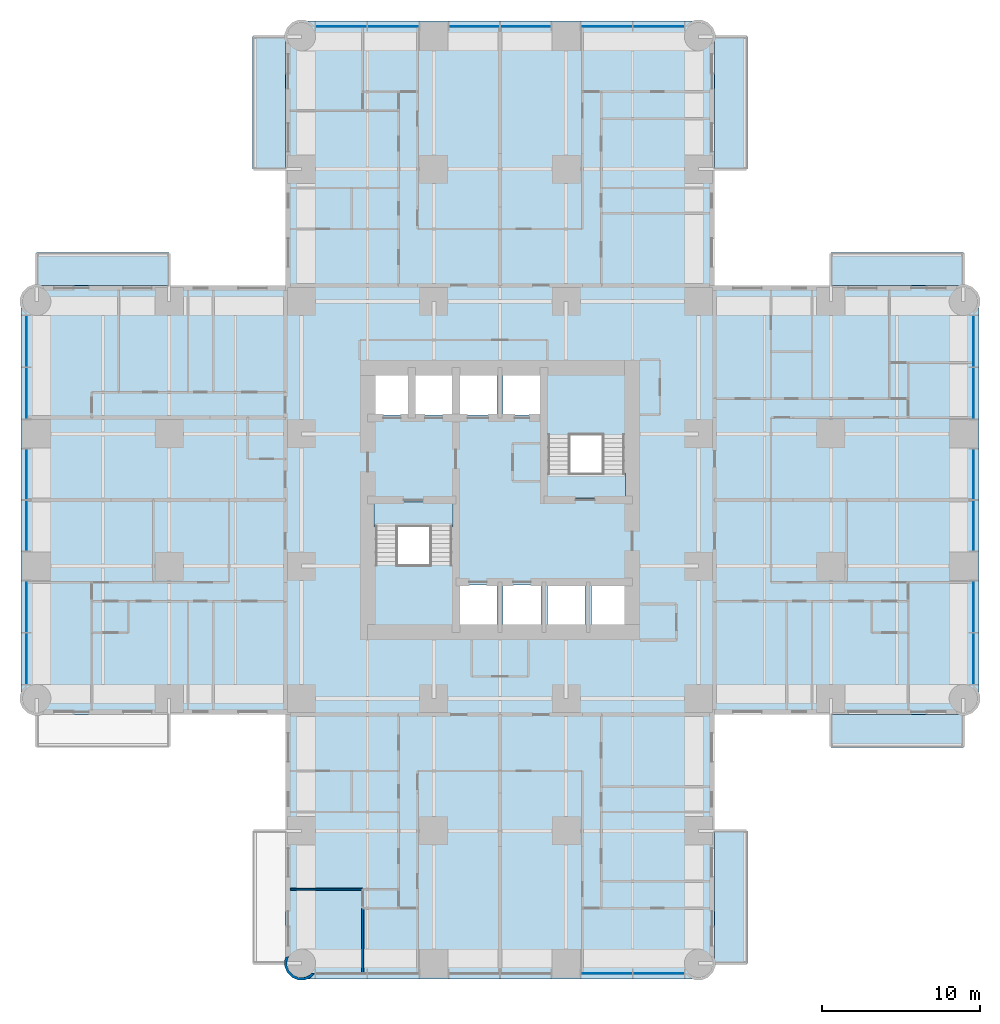
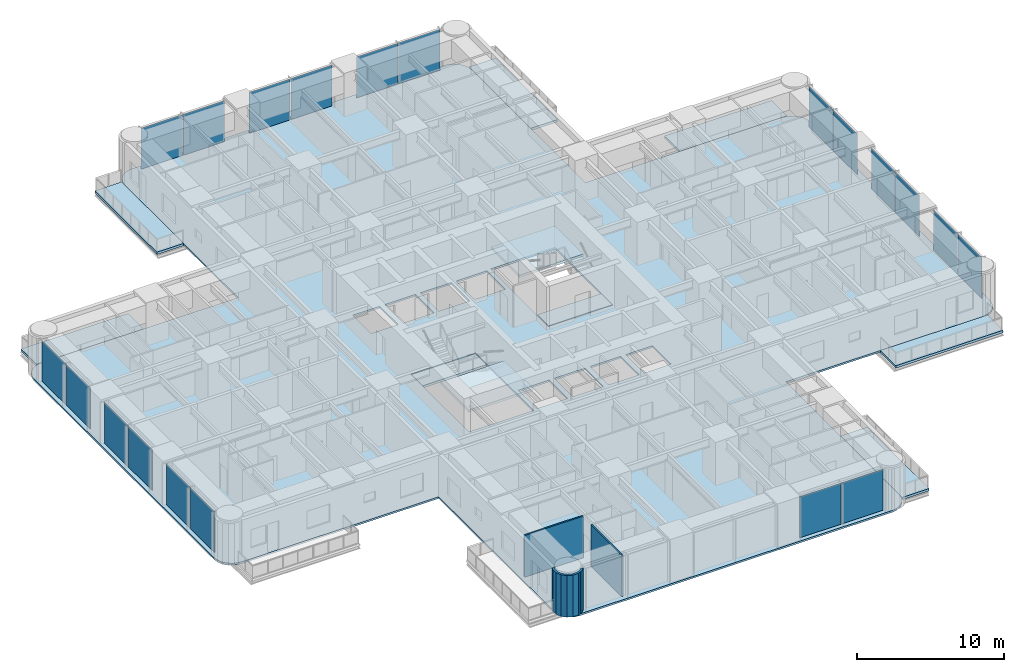
# One storey, part 6 of 17: 20 plates, 11 slabs, 3 walls, 6 elements without a shape of their own.
"""IFC4 building model written with IfcOpenShell, lengths in metres."""

import ifcopenshell
import ifcopenshell.guid

model = None  # the IFC model being written
_history = None  # IfcOwnerHistory: only IFC2X3 demands one
_inside = {}  # id of a spatial element -> (the spatial element, [elements in it])
_under = {}  # id of a project, library or spatial element -> (it, [spatial elements below it])
_declared = {}  # id of a project -> (the project, [libraries it declares])
_typed = {}  # id of a type object -> (the type object, [elements of that type])
_made_of = {}  # id of a material, layer set ... -> (it, [elements and type objects made of it])


def new_model(schema):
    """Start an empty IFC model of exactly this schema.

    Asked for "IFC4X3", IfcOpenShell would pick the latest addendum, in which some entities
    have other attributes; the version numbers below select the first issue.
    IFC2X3 requires an IfcOwnerHistory on every rooted entity: one is made here for all.
    """
    global model, _history
    if schema == "IFC4X3":
        model = ifcopenshell.file(schema_version=(4, 3, 0, 0))
    else:
        model = ifcopenshell.file(schema=schema)
    _inside.clear()
    _under.clear()
    _declared.clear()
    _typed.clear()
    _made_of.clear()
    _history = None
    if model.schema == "IFC2X3":
        org = make("IfcOrganization", Name="unknown")
        user = make(
            "IfcPersonAndOrganization",
            ThePerson=make("IfcPerson", FamilyName="unknown"),
            TheOrganization=org,
        )
        app = make(
            "IfcApplication",
            ApplicationDeveloper=org,
            Version="unknown",
            ApplicationFullName="unknown",
            ApplicationIdentifier="unknown",
        )
        _history = make(
            "IfcOwnerHistory",
            OwningUser=user,
            OwningApplication=app,
            ChangeAction="ADDED",
            CreationDate=0,
        )
    return model


def make(cls, **values):
    """One entity of the class cls with the attributes given. An attribute that is None is left unset."""
    return model.create_entity(
        cls, **{name: value for name, value in values.items() if value is not None}
    )


def rooted(cls, **values):
    """An entity with a GlobalId (a new one), such as an element, a storey or a relation."""
    return make(cls, GlobalId=ifcopenshell.guid.new(), OwnerHistory=_history, **values)


def si_unit(unit_type, name, prefix=None):
    """IfcSIUnit, for example si_unit("LENGTHUNIT", "METRE", prefix="MILLI")."""
    return make("IfcSIUnit", UnitType=unit_type, Prefix=prefix, Name=name)


def assignment(units):
    """IfcUnitAssignment: the units of a project."""
    return None if units is None else make("IfcUnitAssignment", Units=units)


def point(xyz):
    """IfcCartesianPoint."""
    return None if xyz is None else make("IfcCartesianPoint", Coordinates=xyz)


def direction(xyz):
    """IfcDirection."""
    return None if xyz is None else make("IfcDirection", DirectionRatios=xyz)


def frame(location, z_axis=None, x_axis=None):
    """IfcAxis2Placement3D, a coordinate frame: its origin and axes. An axis left out is left unset."""
    return make(
        "IfcAxis2Placement3D",
        Location=point(location),
        Axis=direction(z_axis),
        RefDirection=direction(x_axis),
    )


def frame_2d(location, x_axis=None):
    """IfcAxis2Placement2D, a coordinate frame in the plane: its origin and x axis."""
    return make(
        "IfcAxis2Placement2D", Location=point(location), RefDirection=direction(x_axis)
    )


def origin():
    """The frame at (0, 0, 0) with its axes left unset."""
    return frame((0.0, 0.0, 0.0))


def origin_2d():
    """The frame at (0, 0) in the plane with its x axis left unset."""
    return frame_2d((0.0, 0.0))


def place(relative_to, where):
    """IfcLocalPlacement: puts the frame where relative to a parent placement (None: the world)."""
    return make(
        "IfcLocalPlacement", PlacementRelTo=relative_to, RelativePlacement=where
    )


def context(
    kind, dimensions, precision=None, world=None, true_north=None, identifier=None
):
    """IfcGeometricRepresentationContext, for example the 3D "Model" context."""
    return make(
        "IfcGeometricRepresentationContext",
        ContextIdentifier=identifier,
        ContextType=kind,
        CoordinateSpaceDimension=dimensions,
        Precision=precision,
        WorldCoordinateSystem=world,
        TrueNorth=true_north,
    )


def subcontext(parent, identifier, kind, view, scale=None):
    """IfcGeometricRepresentationSubContext, for example "Body" below "Model"."""
    return make(
        "IfcGeometricRepresentationSubContext",
        ContextIdentifier=identifier,
        ContextType=kind,
        ParentContext=parent,
        TargetScale=scale,
        TargetView=view,
    )


def project(units=None, contexts=None):
    """IfcProject with its units and contexts."""
    return rooted(
        "IfcProject",
        Name="project",
        RepresentationContexts=contexts,
        UnitsInContext=assignment(units),
    )


def spatial(cls, under=None, at=None, **own):
    """A site, building, storey or space (cls), placed at a placement, below another one or the project."""
    s = rooted(cls, ObjectPlacement=at, **own)
    if under is not None:
        _under.setdefault(under.id(), (under, []))[1].append(s)
    return s


def polyline(points):
    """IfcPolyline through the points."""
    return make("IfcPolyline", Points=[point(p) for p in points])


def profile(cls, at=None, kind="AREA", **sizes):
    """A parametric profile (cls). Its sizes go by their IFC names, for example OverallWidth=200.0."""
    return make(cls, ProfileType=kind, Position=at, **sizes)


def rectangle(**sizes):
    """IfcRectangleProfileDef."""
    return profile("IfcRectangleProfileDef", **sizes)


def outline(outer, holes=None, kind="AREA"):
    """IfcArbitraryClosedProfileDef: a profile drawn as a closed curve; with holes, ...WithVoids."""
    if holes is None:
        return make("IfcArbitraryClosedProfileDef", ProfileType=kind, OuterCurve=outer)
    return make(
        "IfcArbitraryProfileDefWithVoids",
        ProfileType=kind,
        OuterCurve=outer,
        InnerCurves=holes,
    )


def extrude(swept, where, along, depth):
    """IfcExtrudedAreaSolid: the profile swept, set in the frame where, extruded along a direction by depth."""
    return make(
        "IfcExtrudedAreaSolid",
        SweptArea=swept,
        Position=where,
        ExtrudedDirection=direction(along),
        Depth=depth,
    )


def shape(context_of_items, identifier, shape_type, items):
    """IfcShapeRepresentation: the items that make up one representation, for example the "Body"."""
    return make(
        "IfcShapeRepresentation",
        ContextOfItems=context_of_items,
        RepresentationIdentifier=identifier,
        RepresentationType=shape_type,
        Items=items,
    )


def material(Name=None, Category=None):
    """IfcMaterial."""
    return make("IfcMaterial", Name=Name, Category=Category)


def layer(
    of_material, thickness, ventilated=None, Name=None, Category=None, Priority=None
):
    """IfcMaterialLayer: one layer of a wall or slab, of a material (None: an air gap)."""
    return make(
        "IfcMaterialLayer",
        Material=of_material,
        LayerThickness=thickness,
        IsVentilated=ventilated,
        Name=Name,
        Category=Category,
        Priority=Priority,
    )


def layer_set(layers, Name=None):
    """IfcMaterialLayerSet."""
    return make("IfcMaterialLayerSet", MaterialLayers=layers, LayerSetName=Name)


def made_of(thing, what):
    """Note that an element or type object is made of a material, layer set ...; save() writes the relation."""
    if what is not None:
        _made_of.setdefault(what.id(), (what, []))[1].append(thing)
    return thing


def type_object(cls, material=None, **own):
    """A type object (cls), such as IfcWallType, which elements share."""
    return made_of(rooted(cls, **own), material)


def element(
    cls,
    number,
    at=None,
    inside=None,
    cuts=None,
    type_object=None,
    material=None,
    context=None,
    identifier="Body",
    shape_type=None,
    held_by="IfcProductDefinitionShape",
    body=None,
    shapes=None,
    **own,
):
    """One element of the class cls, such as IfcWall. Its Tag is "e" and its number.

    at: its placement. inside: the storey or other place that contains it. cuts: it is an
    opening in that element (IfcRelVoidsElement). A single representation is given by context,
    identifier, shape_type and body (its items); several are given by shapes. held_by: the class
    of the entity that holds the representations. save() writes the other relations.
    """
    e = rooted(cls, Tag="e%d" % number, ObjectPlacement=at, **own)
    if body is not None:
        shapes = [shape(context, identifier, shape_type, body)]
    if shapes is not None:
        e.Representation = make(held_by, Representations=shapes)
    if inside is not None:
        _inside.setdefault(inside.id(), (inside, []))[1].append(e)
    if cuts is not None:
        rooted(
            "IfcRelVoidsElement", RelatingBuildingElement=cuts, RelatedOpeningElement=e
        )
    if type_object is not None:
        _typed.setdefault(type_object.id(), (type_object, []))[1].append(e)
    return made_of(e, material)


def aggregate(whole, parts):
    """IfcRelAggregates: a whole, such as a stair, and the parts it consists of."""
    return rooted("IfcRelAggregates", RelatingObject=whole, RelatedObjects=parts)


def save(model, path):
    """Write the relations noted so far, then the file.

    IfcRelAggregates (storeys below a building ...), IfcRelContainedInSpatialStructure (elements
    in a storey), IfcRelDefinesByType, IfcRelAssociatesMaterial and IfcRelDeclares: one each for
    every whole, place, type object, material and project.
    """
    for whole, parts in _under.values():
        aggregate(whole, parts)
    for where, things in _inside.values():
        rooted(
            "IfcRelContainedInSpatialStructure",
            RelatedElements=things,
            RelatingStructure=where,
        )
    for kind, things in _typed.values():
        rooted("IfcRelDefinesByType", RelatedObjects=things, RelatingType=kind)
    for what, things in _made_of.values():
        rooted("IfcRelAssociatesMaterial", RelatedObjects=things, RelatingMaterial=what)
    for by, libraries in _declared.values():
        rooted("IfcRelDeclares", RelatingContext=by, RelatedDefinitions=libraries)
    model.write(path)


model = new_model("IFC4")

# Units and contexts
model_context = context("Model", 3, precision=1e-05, world=origin(), true_north=direction((0.0, 1.0)))
body_context = subcontext(model_context, "Body", "Model", "MODEL_VIEW")
ifc_project = project(units=[si_unit("LENGTHUNIT", "METRE"), si_unit("AREAUNIT", "SQUARE_METRE"), si_unit("VOLUMEUNIT", "CUBIC_METRE"), si_unit("PLANEANGLEUNIT", "RADIAN"), si_unit("MASSUNIT", "GRAM", prefix="KILO")], contexts=[model_context])

# Site, building, storey
site_placement = place(None, origin())
site = spatial("IfcSite", under=ifc_project, at=site_placement, CompositionType="ELEMENT")
building_placement = place(site_placement, origin())
building = spatial("IfcBuilding", under=site, at=building_placement, Name="Torre Alcanfor", CompositionType="ELEMENT")
storey_placement = place(building_placement, frame((0.0, 0.0, 45.300048828125)))
storey = spatial("IfcBuildingStorey", under=building, at=storey_placement, Name="L10", CompositionType="ELEMENT", Elevation=45.300048828125)

# Slabs
ifc_material_1 = material(Name="Concrete f'c 35 MPa", Category="concrete")
ifc_layer_1 = layer(ifc_material_1, 0.199951171875)
ifc_layer_set_1 = layer_set([ifc_layer_1], Name="Balcony slab 200")
slab_type_1 = type_object("IfcSlabType", Name="Balcony slab 200", PredefinedType="FLOOR", material=ifc_layer_set_1)
slab_1_placement = place(storey_placement, frame((0.0, 0.0, -0.199951171875)))
element("IfcSlab", 1, at=slab_1_placement, inside=storey, type_object=slab_type_1, Name="Balcony L10-N1", PredefinedType="FLOOR", context=body_context, shape_type="SweptSolid", body=[
    extrude(outline(polyline([(15.800048828125, 50.39990234375), (15.800048828125, 58.800048828125), (13.699951171875, 58.800048828125), (13.699951171875, 50.39990234375), (15.800048828125, 50.39990234375)])), origin(), (0.0, 0.0, 1.0), 0.199951171875),
])
slab_2_placement = place(storey_placement, frame((0.0, 0.0, -0.199951171875)))
element("IfcSlab", 2, at=slab_2_placement, inside=storey, type_object=slab_type_1, Name="Balcony L10-N2", PredefinedType="FLOOR", context=body_context, shape_type="SweptSolid", body=[
    extrude(outline(polyline([(45.10009765625, 50.39990234375), (45.10009765625, 58.800048828125), (43.0, 58.800048828125), (43.0, 50.39990234375), (45.10009765625, 50.39990234375)])), origin(), (0.0, 0.0, 1.0), 0.199951171875),
])
slab_3_placement = place(storey_placement, frame((0.0, 0.0, -0.199951171875)))
element("IfcSlab", 3, at=slab_3_placement, inside=storey, type_object=slab_type_1, Name="Balcony L10-E1", PredefinedType="FLOOR", context=body_context, shape_type="SweptSolid", body=[
    extrude(outline(polyline([(50.39990234375, 43.0), (58.800048828125, 43.0), (58.800048828125, 45.10009765625), (50.39990234375, 45.10009765625), (50.39990234375, 43.0)])), origin(), (0.0, 0.0, 1.0), 0.199951171875),
])
slab_4_placement = place(storey_placement, frame((0.0, 0.0, -0.199951171875)))
element("IfcSlab", 4, at=slab_4_placement, inside=storey, type_object=slab_type_1, Name="Balcony L10-E2", PredefinedType="FLOOR", context=body_context, shape_type="SweptSolid", body=[
    extrude(outline(polyline([(50.39990234375, 13.699951171875), (58.800048828125, 13.699951171875), (58.800048828125, 15.800048828125), (50.39990234375, 15.800048828125), (50.39990234375, 13.699951171875)])), origin(), (0.0, 0.0, 1.0), 0.199951171875),
])
slab_5_placement = place(storey_placement, frame((0.0, 0.0, -0.199951171875)))
element("IfcSlab", 5, at=slab_5_placement, inside=storey, type_object=slab_type_1, Name="Balcony L10-S1", PredefinedType="FLOOR", context=body_context, shape_type="SweptSolid", body=[
    extrude(outline(polyline([(43.0, 8.39990234375), (43.0, 0.0), (45.10009765625, 0.0), (45.10009765625, 8.39990234375), (43.0, 8.39990234375)])), origin(), (0.0, 0.0, 1.0), 0.199951171875),
])
slab_6_placement = place(storey_placement, frame((0.0, 0.0, -0.199951171875)))
element("IfcSlab", 6, at=slab_6_placement, inside=storey, type_object=slab_type_1, Name="Balcony L10-W2", PredefinedType="FLOOR", context=body_context, shape_type="SweptSolid", body=[
    extrude(outline(polyline([(8.39990234375, 45.10009765625), (0.0, 45.10009765625), (0.0, 43.0), (8.39990234375, 43.0), (8.39990234375, 45.10009765625)])), origin(), (0.0, 0.0, 1.0), 0.199951171875),
])

# Curtain wall, plates
ifc_material_2 = material(Name="Aluminium and glass", Category="aluminium")
curtain_wall_type = type_object("IfcCurtainWallType", Name="CW-A unitised apartment glazing with vertical FIN", PredefinedType="NOTDEFINED", material=ifc_material_2)
curtain_wall_1_placement = place(storey_placement, origin())
curtain_wall_1 = element("IfcCurtainWall", 7, at=curtain_wall_1_placement, inside=storey, type_object=curtain_wall_type, Name="Curtain wall CW-A L10 2", PredefinedType="NOTDEFINED")
ifc_material_3 = material(Name="Glass", Category="glass")
ifc_layer_2 = layer(ifc_material_3, 0.028076171875)
ifc_layer_set_2 = layer_set([ifc_layer_2], Name="CW-A clear double glazed unit")
plate_type = type_object("IfcPlateType", Name="CW-A clear double glazed unit", PredefinedType="CURTAIN_PANEL", material=ifc_layer_set_2)
plate_1_placement = place(storey_placement, frame((-0.64990234375, 39.484130859375, 0.0), z_axis=(0.0, 0.0, 1.0), x_axis=(0.0, -1.0, 0.0)))
plate_1 = element("IfcPlate", 8, at=plate_1_placement, type_object=plate_type, Name="CW-A panel 1.1.1", PredefinedType="CURTAIN_PANEL", context=body_context, shape_type="SweptSolid", body=[
    extrude(rectangle(XDim=3.232666015625, YDim=0.028076171875, at=origin_2d()), origin(), (0.0, 0.0, 1.0), 3.385009765625),
])
plate_2_placement = place(storey_placement, frame((-0.64990234375, 36.186279296875, 0.0), z_axis=(0.0, 0.0, 1.0), x_axis=(0.0, -1.0, 0.0)))
plate_2 = element("IfcPlate", 9, at=plate_2_placement, type_object=plate_type, Name="CW-A panel 1.2.1", PredefinedType="CURTAIN_PANEL", context=body_context, shape_type="SweptSolid", body=[
    extrude(rectangle(XDim=3.232666015625, YDim=0.028076171875, at=origin_2d()), origin(), (0.0, 0.0, 1.0), 3.385009765625),
])
plate_3_placement = place(storey_placement, frame((-0.64990234375, 31.03125, 0.0), z_axis=(0.0, 0.0, 1.0), x_axis=(0.0, -1.0, 0.0)))
plate_3 = element("IfcPlate", 10, at=plate_3_placement, type_object=plate_type, Name="CW-A panel 2.1.1", PredefinedType="CURTAIN_PANEL", context=body_context, shape_type="SweptSolid", body=[
    extrude(rectangle(XDim=3.197509765625, YDim=0.028076171875, at=origin_2d()), origin(), (0.0, 0.0, 1.0), 3.385009765625),
])
plate_4_placement = place(storey_placement, frame((-0.64990234375, 27.768798828125, 0.0), z_axis=(0.0, 0.0, 1.0), x_axis=(0.0, -1.0, 0.0)))
plate_4 = element("IfcPlate", 11, at=plate_4_placement, type_object=plate_type, Name="CW-A panel 2.2.1", PredefinedType="CURTAIN_PANEL", context=body_context, shape_type="SweptSolid", body=[
    extrude(rectangle(XDim=3.197509765625, YDim=0.028076171875, at=origin_2d()), origin(), (0.0, 0.0, 1.0), 3.385009765625),
])
plate_5_placement = place(storey_placement, frame((-0.64990234375, 22.613525390625, 0.0), z_axis=(0.0, 0.0, 1.0), x_axis=(0.0, -1.0, 0.0)))
plate_5 = element("IfcPlate", 12, at=plate_5_placement, type_object=plate_type, Name="CW-A panel 3.1.1", PredefinedType="CURTAIN_PANEL", context=body_context, shape_type="SweptSolid", body=[
    extrude(rectangle(XDim=3.232666015625, YDim=0.028076171875, at=origin_2d()), origin(), (0.0, 0.0, 1.0), 3.385009765625),
])
plate_6_placement = place(storey_placement, frame((-0.64990234375, 19.31591796875, 0.0), z_axis=(0.0, 0.0, 1.0), x_axis=(0.0, -1.0, 0.0)))
plate_6 = element("IfcPlate", 13, at=plate_6_placement, type_object=plate_type, Name="CW-A panel 3.2.1", PredefinedType="CURTAIN_PANEL", context=body_context, shape_type="SweptSolid", body=[
    extrude(rectangle(XDim=3.232666015625, YDim=0.028076171875, at=origin_2d()), origin(), (0.0, 0.0, 1.0), 3.385009765625),
])
aggregate(curtain_wall_1, [plate_1, plate_2, plate_3, plate_4, plate_5, plate_6])

curtain_wall_2_placement = place(storey_placement, origin())
curtain_wall_2 = element("IfcCurtainWall", 14, at=curtain_wall_2_placement, inside=storey, type_object=curtain_wall_type, Name="Curtain wall CW-A L10 5", PredefinedType="NOTDEFINED")
plate_7_placement = place(storey_placement, frame((36.186279296875, -0.64990234375, 0.0), z_axis=(0.0, 0.0, 1.0), x_axis=(1.0, 0.0, 0.0)))
plate_7 = element("IfcPlate", 15, at=plate_7_placement, type_object=plate_type, Name="CW-A panel 3.1.1", PredefinedType="CURTAIN_PANEL", context=body_context, shape_type="SweptSolid", body=[
    extrude(rectangle(XDim=3.232666015625, YDim=0.028076171875, at=origin_2d()), origin(), (0.0, 0.0, 1.0), 3.385009765625),
])
plate_8_placement = place(storey_placement, frame((39.484130859375, -0.64990234375, 0.0), z_axis=(0.0, 0.0, 1.0), x_axis=(1.0, 0.0, 0.0)))
plate_8 = element("IfcPlate", 16, at=plate_8_placement, type_object=plate_type, Name="CW-A panel 3.2.1", PredefinedType="CURTAIN_PANEL", context=body_context, shape_type="SweptSolid", body=[
    extrude(rectangle(XDim=3.232666015625, YDim=0.028076171875, at=origin_2d()), origin(), (0.0, 0.0, 1.0), 3.385009765625),
])
aggregate(curtain_wall_2, [plate_7, plate_8])

curtain_wall_3_placement = place(storey_placement, origin())
curtain_wall_3 = element("IfcCurtainWall", 17, at=curtain_wall_3_placement, inside=storey, type_object=curtain_wall_type, Name="Curtain wall CW-A L10 8", PredefinedType="NOTDEFINED")
plate_9_placement = place(storey_placement, frame((59.449951171875, 19.31591796875, 0.0), z_axis=(0.0, 0.0, 1.0), x_axis=(0.0, 1.0, 0.0)))
plate_9 = element("IfcPlate", 18, at=plate_9_placement, type_object=plate_type, Name="CW-A panel 1.1.1", PredefinedType="CURTAIN_PANEL", context=body_context, shape_type="SweptSolid", body=[
    extrude(rectangle(XDim=3.232666015625, YDim=0.028076171875, at=origin_2d()), origin(), (0.0, 0.0, 1.0), 3.385009765625),
])
plate_10_placement = place(storey_placement, frame((59.449951171875, 22.613525390625, 0.0), z_axis=(0.0, 0.0, 1.0), x_axis=(0.0, 1.0, 0.0)))
plate_10 = element("IfcPlate", 19, at=plate_10_placement, type_object=plate_type, Name="CW-A panel 1.2.1", PredefinedType="CURTAIN_PANEL", context=body_context, shape_type="SweptSolid", body=[
    extrude(rectangle(XDim=3.232666015625, YDim=0.028076171875, at=origin_2d()), origin(), (0.0, 0.0, 1.0), 3.385009765625),
])
plate_11_placement = place(storey_placement, frame((59.449951171875, 27.768798828125, 0.0), z_axis=(0.0, 0.0, 1.0), x_axis=(0.0, 1.0, 0.0)))
plate_11 = element("IfcPlate", 20, at=plate_11_placement, type_object=plate_type, Name="CW-A panel 2.1.1", PredefinedType="CURTAIN_PANEL", context=body_context, shape_type="SweptSolid", body=[
    extrude(rectangle(XDim=3.197509765625, YDim=0.028076171875, at=origin_2d()), origin(), (0.0, 0.0, 1.0), 3.385009765625),
])
plate_12_placement = place(storey_placement, frame((59.449951171875, 31.03125, 0.0), z_axis=(0.0, 0.0, 1.0), x_axis=(0.0, 1.0, 0.0)))
plate_12 = element("IfcPlate", 21, at=plate_12_placement, type_object=plate_type, Name="CW-A panel 2.2.1", PredefinedType="CURTAIN_PANEL", context=body_context, shape_type="SweptSolid", body=[
    extrude(rectangle(XDim=3.197509765625, YDim=0.028076171875, at=origin_2d()), origin(), (0.0, 0.0, 1.0), 3.385009765625),
])
plate_13_placement = place(storey_placement, frame((59.449951171875, 36.186279296875, 0.0), z_axis=(0.0, 0.0, 1.0), x_axis=(0.0, 1.0, 0.0)))
plate_13 = element("IfcPlate", 22, at=plate_13_placement, type_object=plate_type, Name="CW-A panel 3.1.1", PredefinedType="CURTAIN_PANEL", context=body_context, shape_type="SweptSolid", body=[
    extrude(rectangle(XDim=3.232666015625, YDim=0.028076171875, at=origin_2d()), origin(), (0.0, 0.0, 1.0), 3.385009765625),
])
plate_14_placement = place(storey_placement, frame((59.449951171875, 39.484130859375, 0.0), z_axis=(0.0, 0.0, 1.0), x_axis=(0.0, 1.0, 0.0)))
plate_14 = element("IfcPlate", 23, at=plate_14_placement, type_object=plate_type, Name="CW-A panel 3.2.1", PredefinedType="CURTAIN_PANEL", context=body_context, shape_type="SweptSolid", body=[
    extrude(rectangle(XDim=3.232666015625, YDim=0.028076171875, at=origin_2d()), origin(), (0.0, 0.0, 1.0), 3.385009765625),
])
aggregate(curtain_wall_3, [plate_9, plate_10, plate_11, plate_12, plate_13, plate_14])

curtain_wall_4_placement = place(storey_placement, origin())
curtain_wall_4 = element("IfcCurtainWall", 24, at=curtain_wall_4_placement, inside=storey, type_object=curtain_wall_type, Name="Curtain wall CW-A L10 11", PredefinedType="NOTDEFINED")
plate_15_placement = place(storey_placement, frame((39.484130859375, 59.449951171875, 0.0), z_axis=(0.0, 0.0, 1.0), x_axis=(-1.0, 0.0, 0.0)))
plate_15 = element("IfcPlate", 25, at=plate_15_placement, type_object=plate_type, Name="CW-A panel 1.1.1", PredefinedType="CURTAIN_PANEL", context=body_context, shape_type="SweptSolid", body=[
    extrude(rectangle(XDim=3.232666015625, YDim=0.028076171875, at=origin_2d()), origin(), (0.0, 0.0, 1.0), 3.385009765625),
])
plate_16_placement = place(storey_placement, frame((36.186279296875, 59.449951171875, 0.0), z_axis=(0.0, 0.0, 1.0), x_axis=(-1.0, 0.0, 0.0)))
plate_16 = element("IfcPlate", 26, at=plate_16_placement, type_object=plate_type, Name="CW-A panel 1.2.1", PredefinedType="CURTAIN_PANEL", context=body_context, shape_type="SweptSolid", body=[
    extrude(rectangle(XDim=3.232666015625, YDim=0.028076171875, at=origin_2d()), origin(), (0.0, 0.0, 1.0), 3.385009765625),
])
plate_17_placement = place(storey_placement, frame((31.03125, 59.449951171875, 0.0), z_axis=(0.0, 0.0, 1.0), x_axis=(-1.0, 0.0, 0.0)))
plate_17 = element("IfcPlate", 27, at=plate_17_placement, type_object=plate_type, Name="CW-A panel 2.1.1", PredefinedType="CURTAIN_PANEL", context=body_context, shape_type="SweptSolid", body=[
    extrude(rectangle(XDim=3.197509765625, YDim=0.028076171875, at=origin_2d()), origin(), (0.0, 0.0, 1.0), 3.385009765625),
])
plate_18_placement = place(storey_placement, frame((27.768798828125, 59.449951171875, 0.0), z_axis=(0.0, 0.0, 1.0), x_axis=(-1.0, 0.0, 0.0)))
plate_18 = element("IfcPlate", 28, at=plate_18_placement, type_object=plate_type, Name="CW-A panel 2.2.1", PredefinedType="CURTAIN_PANEL", context=body_context, shape_type="SweptSolid", body=[
    extrude(rectangle(XDim=3.197509765625, YDim=0.028076171875, at=origin_2d()), origin(), (0.0, 0.0, 1.0), 3.385009765625),
])
plate_19_placement = place(storey_placement, frame((22.613525390625, 59.449951171875, 0.0), z_axis=(0.0, 0.0, 1.0), x_axis=(-1.0, 0.0, 0.0)))
plate_19 = element("IfcPlate", 29, at=plate_19_placement, type_object=plate_type, Name="CW-A panel 3.1.1", PredefinedType="CURTAIN_PANEL", context=body_context, shape_type="SweptSolid", body=[
    extrude(rectangle(XDim=3.232666015625, YDim=0.028076171875, at=origin_2d()), origin(), (0.0, 0.0, 1.0), 3.385009765625),
])
plate_20_placement = place(storey_placement, frame((19.31591796875, 59.449951171875, 0.0), z_axis=(0.0, 0.0, 1.0), x_axis=(-1.0, 0.0, 0.0)))
plate_20 = element("IfcPlate", 30, at=plate_20_placement, type_object=plate_type, Name="CW-A panel 3.2.1", PredefinedType="CURTAIN_PANEL", context=body_context, shape_type="SweptSolid", body=[
    extrude(rectangle(XDim=3.232666015625, YDim=0.028076171875, at=origin_2d()), origin(), (0.0, 0.0, 1.0), 3.385009765625),
])
aggregate(curtain_wall_4, [plate_15, plate_16, plate_17, plate_18, plate_19, plate_20])

# Slab
ifc_material_4 = material(Name="Concrete f'c 35 MPa", Category="concrete")
ifc_layer_3 = layer(ifc_material_4, 0.14990234375)
ifc_layer_set_3 = layer_set([ifc_layer_3], Name="Composite floor 150 on metal deck")
slab_type_2 = type_object("IfcSlabType", Name="Composite floor 150 on metal deck", PredefinedType="FLOOR", material=ifc_layer_set_3)
slab_7_placement = place(storey_placement, frame((0.0, 0.0, -0.150146484375)))
element("IfcSlab", 31, at=slab_7_placement, inside=storey, type_object=slab_type_2, Name="Floor slab L10", PredefinedType="FLOOR", context=body_context, shape_type="SweptSolid", body=[
    extrude(outline(polyline([(15.800048828125, 43.0), (0.39990234375, 43.0), (0.03759765625, 42.952392578125), (-0.300048828125, 42.8125), (-0.58984375, 42.58984375), (-0.8125, 42.300048828125), (-0.952392578125, 41.96240234375), (-1.0, 41.60009765625), (-1.0, 17.199951171875), (-0.952392578125, 16.837646484375), (-0.8125, 16.5), (-0.58984375, 16.210205078125), (-0.300048828125, 15.987548828125), (0.03759765625, 15.84765625), (0.39990234375, 15.800048828125), (15.800048828125, 15.800048828125), (15.800048828125, 0.39990234375), (15.84765625, 0.03759765625), (15.987548828125, -0.300048828125), (16.210205078125, -0.58984375), (16.5, -0.8125), (16.837646484375, -0.952392578125), (17.199951171875, -1.0), (41.60009765625, -1.0), (41.96240234375, -0.952392578125), (42.300048828125, -0.8125), (42.58984375, -0.58984375), (42.8125, -0.300048828125), (42.952392578125, 0.03759765625), (43.0, 0.39990234375), (43.0, 15.800048828125), (58.39990234375, 15.800048828125), (58.76220703125, 15.84765625), (59.10009765625, 15.987548828125), (59.389892578125, 16.210205078125), (59.6123046875, 16.5), (59.752197265625, 16.837646484375), (59.800048828125, 17.199951171875), (59.800048828125, 41.60009765625), (59.752197265625, 41.96240234375), (59.6123046875, 42.300048828125), (59.389892578125, 42.58984375), (59.10009765625, 42.8125), (58.76220703125, 42.952392578125), (58.39990234375, 43.0), (43.0, 43.0), (43.0, 58.39990234375), (42.952392578125, 58.76220703125), (42.8125, 59.10009765625), (42.58984375, 59.389892578125), (42.300048828125, 59.6123046875), (41.96240234375, 59.752197265625), (41.60009765625, 59.800048828125), (17.199951171875, 59.800048828125), (16.837646484375, 59.752197265625), (16.5, 59.6123046875), (16.210205078125, 59.389892578125), (15.987548828125, 59.10009765625), (15.84765625, 58.76220703125), (15.800048828125, 58.39990234375), (15.800048828125, 43.0)]), holes=[polyline([(21.419921875, 21.419921875), (26.47998046875, 21.419921875), (26.47998046875, 29.280029296875), (21.419921875, 29.280029296875), (21.419921875, 21.419921875)]), polyline([(32.320068359375, 29.52001953125), (37.3798828125, 29.52001953125), (37.3798828125, 37.3798828125), (32.320068359375, 37.3798828125), (32.320068359375, 29.52001953125)]), polyline([(26.800048828125, 21.5), (29.199951171875, 21.5), (29.199951171875, 24.0), (26.800048828125, 24.0), (26.800048828125, 21.5)]), polyline([(29.60009765625, 21.5), (32.0, 21.5), (32.0, 24.0), (29.60009765625, 24.0), (29.60009765625, 21.5)]), polyline([(32.39990234375, 21.5), (34.800048828125, 21.5), (34.800048828125, 24.0), (32.39990234375, 24.0), (32.39990234375, 21.5)]), polyline([(35.199951171875, 21.5), (37.300048828125, 21.5), (37.300048828125, 24.0), (35.199951171875, 24.0), (35.199951171875, 21.5)]), polyline([(21.5, 34.800048828125), (23.60009765625, 34.800048828125), (23.60009765625, 37.300048828125), (21.5, 37.300048828125), (21.5, 34.800048828125)]), polyline([(24.0, 34.800048828125), (26.39990234375, 34.800048828125), (26.39990234375, 37.300048828125), (24.0, 37.300048828125), (24.0, 34.800048828125)]), polyline([(26.800048828125, 34.800048828125), (29.199951171875, 34.800048828125), (29.199951171875, 37.300048828125), (26.800048828125, 37.300048828125), (26.800048828125, 34.800048828125)]), polyline([(29.60009765625, 34.800048828125), (32.0, 34.800048828125), (32.0, 37.300048828125), (29.60009765625, 37.300048828125), (29.60009765625, 34.800048828125)])]), origin(), (0.0, 0.0, 1.0), 0.150146484375),
])

# Stair, slabs
ifc_material_5 = material(Name="Concrete f'c 35 MPa", Category="concrete")
stair_type_1 = type_object("IfcStairType", Name="Exit stair S1 1400 wide", PredefinedType="HALF_TURN_STAIR", material=ifc_material_5)
stair_1_placement = place(storey_placement, origin())
stair_1 = element("IfcStair", 32, at=stair_1_placement, inside=storey, type_object=stair_type_1, Name="Stair S1 L10 to L11", PredefinedType="HALF_TURN_STAIR")
ifc_material_6 = material(Name="Concrete f'c 35 MPa", Category="concrete")
ifc_layer_4 = layer(ifc_material_6, 0.199951171875)
ifc_layer_set_4 = layer_set([ifc_layer_4], Name="Stair landing 200")
slab_type_3 = type_object("IfcSlabType", Name="Stair landing 200", PredefinedType="LANDING", material=ifc_layer_set_4)
slab_8_placement = place(storey_placement, frame((0.0, 0.0, -0.199951171875)))
slab_8 = element("IfcSlab", 33, at=slab_8_placement, type_object=slab_type_3, Name="S1 landing 1", PredefinedType="LANDING", context=body_context, shape_type="SweptSolid", body=[
    extrude(outline(polyline([(21.419921875, 27.699951171875), (26.429931640625, 27.699951171875), (26.429931640625, 29.22998046875), (21.419921875, 29.22998046875), (21.419921875, 27.699951171875)])), origin(), (0.0, 0.0, 1.0), 0.199951171875),
])
slab_9_placement = place(storey_placement, frame((0.0, 0.0, 1.599853515625)))
slab_9 = element("IfcSlab", 34, at=slab_9_placement, type_object=slab_type_3, Name="S1 landing 2", PredefinedType="LANDING", context=body_context, shape_type="SweptSolid", body=[
    extrude(outline(polyline([(21.419921875, 21.419921875), (26.429931640625, 21.419921875), (26.429931640625, 25.280029296875), (21.419921875, 25.280029296875), (21.419921875, 21.419921875)])), origin(), (0.0, 0.0, 1.0), 0.2001953125),
])
aggregate(stair_1, [slab_8, slab_9])

ifc_material_7 = material(Name="Concrete f'c 35 MPa", Category="concrete")
stair_type_2 = type_object("IfcStairType", Name="Exit stair S2 1400 wide", PredefinedType="HALF_TURN_STAIR", material=ifc_material_7)
stair_2_placement = place(storey_placement, origin())
stair_2 = element("IfcStair", 35, at=stair_2_placement, inside=storey, type_object=stair_type_2, Name="Stair S2 L10 to L11", PredefinedType="HALF_TURN_STAIR")
slab_10_placement = place(storey_placement, frame((0.0, 0.0, -0.199951171875)))
slab_10 = element("IfcSlab", 36, at=slab_10_placement, type_object=slab_type_3, Name="S2 landing 1", PredefinedType="LANDING", context=body_context, shape_type="SweptSolid", body=[
    extrude(outline(polyline([(32.3701171875, 29.570068359375), (37.3798828125, 29.570068359375), (37.3798828125, 31.10009765625), (32.3701171875, 31.10009765625), (32.3701171875, 29.570068359375)])), origin(), (0.0, 0.0, 1.0), 0.199951171875),
])
slab_11_placement = place(storey_placement, frame((0.0, 0.0, 1.599853515625)))
slab_11 = element("IfcSlab", 37, at=slab_11_placement, type_object=slab_type_3, Name="S2 landing 2", PredefinedType="LANDING", context=body_context, shape_type="SweptSolid", body=[
    extrude(outline(polyline([(32.3701171875, 33.52001953125), (37.3798828125, 33.52001953125), (37.3798828125, 37.3798828125), (32.3701171875, 37.3798828125), (32.3701171875, 33.52001953125)])), origin(), (0.0, 0.0, 1.0), 0.2001953125),
])
aggregate(stair_2, [slab_10, slab_11])

# Walls
ifc_material_8 = material(Name="Gypsum board on steel studs", Category="steel")
ifc_layer_5 = layer(ifc_material_8, 0.1201171875)
ifc_layer_set_5 = layer_set([ifc_layer_5], Name="Apartment partition 120")
wall_type_1 = type_object("IfcWallType", Name="Apartment partition 120", PredefinedType="PARTITIONING", material=ifc_layer_set_5)
wall_1_placement = place(storey_placement, frame((20.68603515625, 4.699951171875, 0.0), z_axis=(0.0, 0.0, 1.0), x_axis=(-1.0, 0.0, 0.0)))
element("IfcWall", 38, at=wall_1_placement, inside=storey, type_object=wall_type_1, Name="Partition L10-S2-BED3 / L10-S2-MASTER", PredefinedType="PARTITIONING", context=body_context, shape_type="SweptSolid", body=[
    extrude(rectangle(XDim=4.5859375, YDim=0.1201171875, at=frame_2d((2.29296875, 0.0))), origin(), (0.0, 0.0, 1.0), 3.449951171875),
])
wall_2_placement = place(storey_placement, frame((20.68603515625, -0.64990234375, 0.0), z_axis=(0.0, 0.0, 1.0), x_axis=(0.0, 1.0, 0.0)))
element("IfcWall", 39, at=wall_2_placement, inside=storey, type_object=wall_type_1, Name="Partition L10-S2-BED2 / L10-S2-MASTER", PredefinedType="PARTITIONING", context=body_context, shape_type="SweptSolid", body=[
    extrude(rectangle(XDim=4.14990234375, YDim=0.1201171875, at=frame_2d((2.074951171875, 0.0))), origin(), (0.0, 0.0, 1.0), 3.449951171875),
])
ifc_material_9 = material(Name="Limestone cladding", Category="masonry")
ifc_layer_6 = layer(ifc_material_9, 0.0400390625, Name="Facing")
ifc_material_10 = material(Name="Ventilated air cavity")
ifc_layer_7 = layer(ifc_material_10, 0.02001953125, ventilated=True, Name="Ventilated joint")
ifc_material_11 = material(Name="Mineral wool insulation", Category="insulation")
ifc_layer_8 = layer(ifc_material_11, 0.10009765625, Name="Insulation")
ifc_material_12 = material(Name="Concrete f'c 35 MPa", Category="concrete")
ifc_layer_9 = layer(ifc_material_12, 0.139892578125, Name="Backing")
ifc_layer_set_6 = layer_set([ifc_layer_6, ifc_layer_7, ifc_layer_8, ifc_layer_9], Name="Rounded corner pier stone-clad 300")
wall_type_2 = type_object("IfcWallType", Name="Rounded corner pier stone-clad 300", PredefinedType="SOLIDWALL", material=ifc_layer_set_6)
wall_3_placement = place(storey_placement, frame((15.890092843, 0.363962863, 0.0), z_axis=(0.0, 0.0, 1.0), x_axis=(-0.377204953059, -0.926129809145, 0.0)))
element("IfcWall", 40, at=wall_3_placement, inside=storey, type_object=wall_type_2, Name="Corner pier L10 15", PredefinedType="SOLIDWALL", context=body_context, shape_type="SweptSolid", body=[
    extrude(outline(polyline([(0.36025406326845444, 1.8033251535395152), (0.5088520451897254, 1.7407402151136773), (0.7605729288027181, 1.4858036812916837), (0.8957625945963965, 1.1538802047718164), (0.8938847377533284, 0.7953914035812757), (0.7547773157275899, 0.46510295554213366), (0.4997067670481534, 0.21306387496571194), (0.16778329052828606, 0.07787420917203358), (-0.09994023900030424, 0.0795504548732244), (0.0006804239564057041, -0.09694899646014049), (0.029999294732247404, -0.08026261581225796), (0.19856690358048068, -0.0812004843578153), (0.5888257049928043, 0.07774867310804906), (0.8888185520201115, 0.37418200048294215), (1.0525847078153452, 0.7630186897929918), (1.0551554850896743, 1.184529802966568), (0.896114236570817, 1.5750147102893275), (0.7776681844062314, 1.6949582431572732), (0.7691216165340404, 1.727592391840862), (0.7502462480266835, 1.7228043636692119), (0.599680909195924, 1.8750075573166347), (0.2945300212676607, 2.0035278056043833), (0.2809636666415082, 1.9980023424248052), (0.36025406326845444, 1.8033251535395152)])), origin(), (0.0, 0.0, 1.0), 3.449951171875),
])

save(model, "model.ifc")
